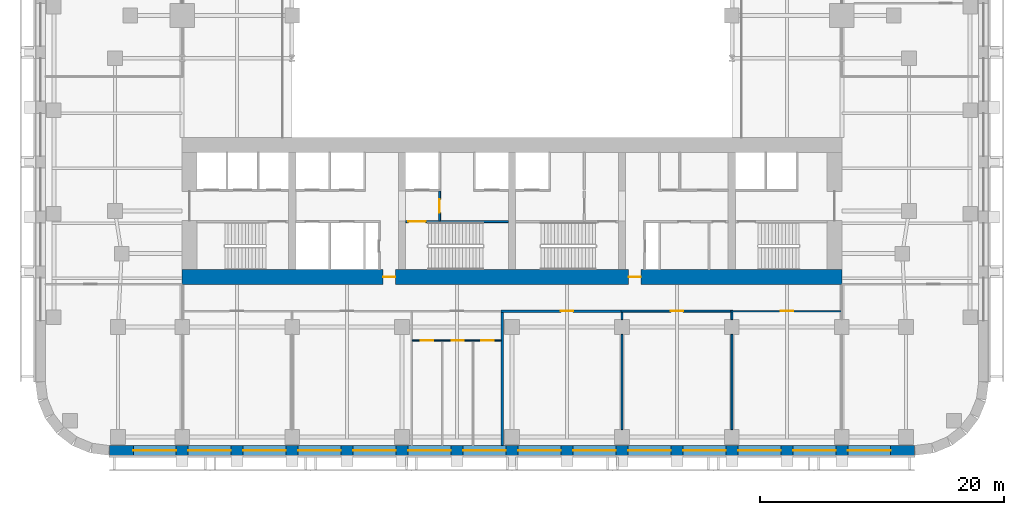
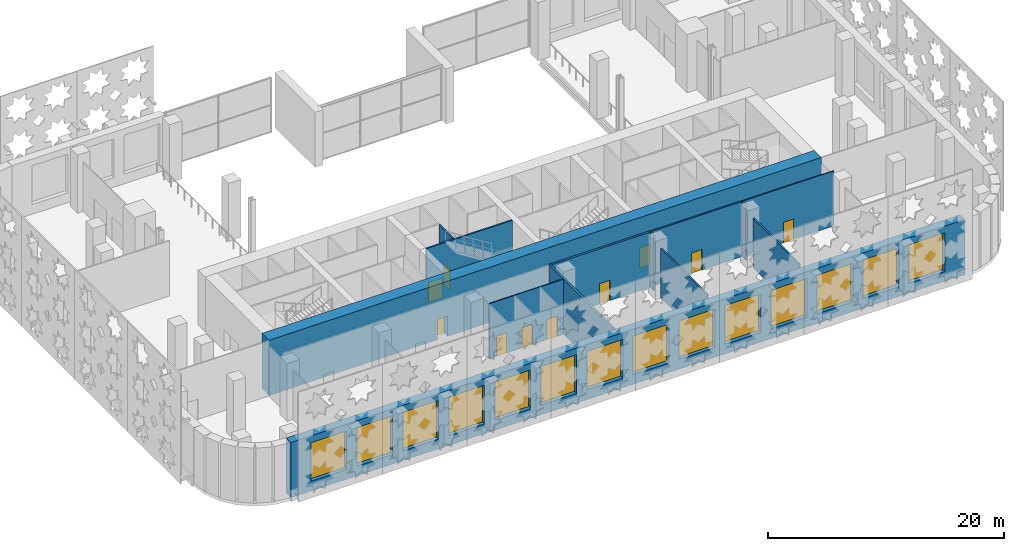
# One storey, part 6 of 17: 14 windows, 13 walls, 10 doors, 24 openings.
"""IFC4 building model written with IfcOpenShell, lengths in metres."""

from ifc_helpers import new_model, si_unit, direction, frame, frame_2d, origin, place, context, subcontext, project, spatial, rectangle, extrude, material, layer, layer_set, type_object, element, fill, save


model = new_model("IFC4")

# Units and contexts
model_context = context("Model", 3, precision=1e-05, world=origin(), true_north=direction((0.0, 1.0)))
body_context = subcontext(model_context, "Body", "Model", "MODEL_VIEW")
ifc_project = project(units=[si_unit("LENGTHUNIT", "METRE"), si_unit("AREAUNIT", "SQUARE_METRE"), si_unit("VOLUMEUNIT", "CUBIC_METRE"), si_unit("PLANEANGLEUNIT", "RADIAN"), si_unit("MASSUNIT", "GRAM", prefix="KILO")], contexts=[model_context])

# Site, building, storey
site_placement = place(None, origin())
site = spatial("IfcSite", under=ifc_project, at=site_placement, CompositionType="ELEMENT")
building_placement = place(site_placement, origin())
building = spatial("IfcBuilding", under=site, at=building_placement, Name="Zellij Exchange Tower", CompositionType="ELEMENT")
storey_placement = place(building_placement, frame((0.0, 0.0, 9.0)))
storey = spatial("IfcBuildingStorey", under=building, at=storey_placement, Name="L01", CompositionType="ELEMENT", Elevation=9.0)

# Wall, opening, door
ifc_material_1 = material(Name="Gypsum shaft wall system")
ifc_layer_1 = layer(ifc_material_1, 0.14990234375)
ifc_layer_set_1 = layer_set([ifc_layer_1], Name="Gypsum shaft wall system")
wall_type_1 = type_object("IfcWallType", Name="CORE-PW 150 Firefighting lobby wall", PredefinedType="PARTITIONING", material=ifc_layer_set_1)
wall_1_placement = place(storey_placement, frame((-5.925048828125, -8.800048828125, 0.0), z_axis=(0.0, 0.0, 1.0), x_axis=(0.0, 1.0, 0.0)))
wall_1 = element("IfcWall", 1, at=wall_1_placement, inside=storey, type_object=wall_type_1, Name="Firefighting lobby wall L01", PredefinedType="PARTITIONING", context=body_context, shape_type="SweptSolid", body=[
    extrude(rectangle(XDim=2.425048828125, YDim=0.14990234375, at=frame_2d((1.21240234375, 0.0))), origin(), (0.0, 0.0, 1.0), 5.699951171875),
])
opening_1_placement = place(wall_1_placement, frame((0.662109375, 0.0, 0.0)))
opening_1 = element("IfcOpeningElement", 2, at=opening_1_placement, cuts=wall_1, Name="Opening CA-04.14", PredefinedType="OPENING", context=body_context, shape_type="SweptSolid", body=[
    extrude(rectangle(XDim=1.10009765625, YDim=2.10009765625, at=frame_2d((0.550048828125, 1.050048828125))), frame((0.0, 0.0869140625, 0.0), z_axis=(0.0, -1.0, 0.0), x_axis=(1.0, 0.0, 0.0)), (0.0, 0.0, 1.0), 0.173828125),
])
ifc_material_2 = material(Name="Hollow metal fire door")
door_type_1 = type_object("IfcDoorType", Name="CORE-D F Firefighting lobby door 1100x2100 1 HR", OperationType="NOTDEFINED", PredefinedType="DOOR", material=ifc_material_2)
door_1_placement = place(opening_1_placement, origin())
door_1 = element("IfcDoor", 3, at=door_1_placement, inside=storey, type_object=door_type_1, Name="Firefighting lobby door CA-04.14", OperationType="SINGLE_SWING_LEFT", OverallHeight=2.10009765625, OverallWidth=1.10009765625, PredefinedType="DOOR", context=body_context, shape_type="SweptSolid", body=[
    extrude(rectangle(XDim=1.10009765625, YDim=2.10009765625, at=frame_2d((0.550048828125, 1.050048828125))), frame((0.0, 0.02490234375, 0.0), z_axis=(0.0, -1.0, 0.0), x_axis=(1.0, 0.0, 0.0)), (0.0, 0.0, 1.0), 0.050048828125),
])
fill(opening_1, door_1)

# Wall, openings, doors
ifc_material_3 = material(Name="Concrete C70/85", Category="concrete")
ifc_layer_2 = layer(ifc_material_3, 1.199951171875)
ifc_layer_set_2 = layer_set([ifc_layer_2], Name="Concrete C70/85")
wall_type_2 = type_object("IfcWallType", Name="CORE-SW 1200 C70/85", PredefinedType="SHEAR", material=ifc_layer_set_2)
wall_2_placement = place(storey_placement, frame((-27.0, -13.39990234375, 0.0), z_axis=(0.0, 0.0, 1.0), x_axis=(1.0, 0.0, 0.0)))
wall_2 = element("IfcWall", 4, at=wall_2_placement, inside=storey, type_object=wall_type_2, Name="Core shear wall rear L01", PredefinedType="SHEAR", context=body_context, shape_type="SweptSolid", body=[
    extrude(rectangle(XDim=54.0, YDim=1.199951171875, at=frame_2d((27.0, 0.0))), origin(), (0.0, 0.0, 1.0), 5.699951171875),
])
opening_2_placement = place(wall_2_placement, frame((16.449951171875, 0.0, 0.0)))
opening_2 = element("IfcOpeningElement", 5, at=opening_2_placement, cuts=wall_2, Name="Opening CA-04.11", PredefinedType="OPENING", context=body_context, shape_type="SweptSolid", body=[
    extrude(rectangle(XDim=1.0, YDim=2.10009765625, at=frame_2d((0.5, 1.050048828125))), frame((0.0, 0.61181640625, 0.0), z_axis=(0.0, -1.0, 0.0), x_axis=(1.0, 0.0, 0.0)), (0.0, 0.0, 1.0), 1.223876953125),
])
opening_3_placement = place(wall_2_placement, frame((36.550048828125, 0.0, 0.0)))
opening_3 = element("IfcOpeningElement", 6, at=opening_3_placement, cuts=wall_2, Name="Opening CA-04.19", PredefinedType="OPENING", context=body_context, shape_type="SweptSolid", body=[
    extrude(rectangle(XDim=1.0, YDim=2.10009765625, at=frame_2d((0.5, 1.050048828125))), frame((0.0, 0.61181640625, 0.0), z_axis=(0.0, -1.0, 0.0), x_axis=(1.0, 0.0, 0.0)), (0.0, 0.0, 1.0), 1.223876953125),
])
door_type_2 = type_object("IfcDoorType", Name="CORE-D CR Core rear door 1000x2100 20 MIN", OperationType="NOTDEFINED", PredefinedType="DOOR", material=ifc_material_2)
door_2_placement = place(opening_2_placement, origin())
door_2 = element("IfcDoor", 7, at=door_2_placement, inside=storey, type_object=door_type_2, Name="Core rear door CA-04.11", OperationType="SINGLE_SWING_RIGHT", OverallHeight=2.10009765625, OverallWidth=1.0, PredefinedType="DOOR", context=body_context, shape_type="SweptSolid", body=[
    extrude(rectangle(XDim=1.0, YDim=2.10009765625, at=frame_2d((0.5, 1.050048828125))), frame((0.0, 0.02490234375, 0.0), z_axis=(0.0, -1.0, 0.0), x_axis=(1.0, 0.0, 0.0)), (0.0, 0.0, 1.0), 0.050048828125),
])
fill(opening_2, door_2)
door_3_placement = place(opening_3_placement, origin())
door_3 = element("IfcDoor", 8, at=door_3_placement, inside=storey, type_object=door_type_2, Name="Core rear door CA-04.19", OperationType="SINGLE_SWING_LEFT", OverallHeight=2.10009765625, OverallWidth=1.0, PredefinedType="DOOR", context=body_context, shape_type="SweptSolid", body=[
    extrude(rectangle(XDim=1.0, YDim=2.10009765625, at=frame_2d((0.5, 1.050048828125))), frame((0.0, 0.02490234375, 0.0), z_axis=(0.0, -1.0, 0.0), x_axis=(1.0, 0.0, 0.0)), (0.0, 0.0, 1.0), 0.050048828125),
])
fill(opening_3, door_3)

# Wall, opening, door
ifc_layer_3 = layer(ifc_material_3, 0.14990234375)
ifc_layer_set_3 = layer_set([ifc_layer_3], Name="Concrete C70/85")
wall_type_3 = type_object("IfcWallType", Name="CORE-SWS 150 C70/85", PredefinedType="SHEAR", material=ifc_layer_set_3)
wall_3_placement = place(storey_placement, frame((-8.699951171875, -8.875, 0.0), z_axis=(0.0, 0.0, 1.0), x_axis=(1.0, 0.0, 0.0)))
wall_3 = element("IfcWall", 9, at=wall_3_placement, inside=storey, type_object=wall_type_3, Name="Stair enclosure wall L01", PredefinedType="SHEAR", context=body_context, shape_type="SweptSolid", body=[
    extrude(rectangle(XDim=8.39990234375, YDim=0.14990234375, at=frame_2d((4.199951171875, 0.0))), origin(), (0.0, 0.0, 1.0), 5.699951171875),
])
opening_4_placement = place(wall_3_placement, frame((0.22509765625, 0.0, 0.0)))
opening_4 = element("IfcOpeningElement", 10, at=opening_4_placement, cuts=wall_3, Name="Opening CA-04.12", PredefinedType="OPENING", context=body_context, shape_type="SweptSolid", body=[
    extrude(rectangle(XDim=1.39990234375, YDim=2.10009765625, at=frame_2d((0.699951171875, 1.050048828125))), frame((0.0, 0.0869140625, 0.0), z_axis=(0.0, -1.0, 0.0), x_axis=(1.0, 0.0, 0.0)), (0.0, 0.0, 1.0), 0.173828125),
])
door_type_3 = type_object("IfcDoorType", Name="CORE-D SD Stair door 1400x2100 1.5 HR", OperationType="NOTDEFINED", PredefinedType="DOOR", material=ifc_material_2)
door_4_placement = place(opening_4_placement, origin())
door_4 = element("IfcDoor", 11, at=door_4_placement, inside=storey, type_object=door_type_3, Name="Stair door CA-04.12", OperationType="DOUBLE_DOOR_SINGLE_SWING", OverallHeight=2.10009765625, OverallWidth=1.39990234375, PredefinedType="DOOR", context=body_context, shape_type="SweptSolid", body=[
    extrude(rectangle(XDim=1.39990234375, YDim=2.10009765625, at=frame_2d((0.699951171875, 1.050048828125))), frame((0.0, 0.02490234375, 0.0), z_axis=(0.0, -1.0, 0.0), x_axis=(1.0, 0.0, 0.0)), (0.0, 0.0, 1.0), 0.050048828125),
])
fill(opening_4, door_4)

# Wall, openings, windows
ifc_material_4 = material(Name="Precast concrete C40/50", Category="concrete")
ifc_layer_4 = layer(ifc_material_4, 0.800048828125)
ifc_layer_set_4 = layer_set([ifc_layer_4], Name="Precast concrete C40/50")
wall_type_4 = type_object("IfcWallType", Name="ENV-EW1 Precast stone-piered wall 800", PredefinedType="SOLIDWALL", material=ifc_layer_set_4)
wall_4_placement = place(storey_placement, frame((-32.947509765625, -27.60009765625, 0.0), z_axis=(0.0, 0.0, 1.0), x_axis=(1.0, 0.0, 0.0)))
wall_4 = element("IfcWall", 12, at=wall_4_placement, inside=storey, type_object=wall_type_4, Name="fac.L01.00", PredefinedType="SOLIDWALL", context=body_context, shape_type="SweptSolid", body=[
    extrude(rectangle(XDim=65.89501953125, YDim=0.800048828125, at=frame_2d((32.947509765625, 0.0))), origin(), (0.0, 0.0, 1.0), 5.699951171875),
])
opening_5_placement = place(wall_4_placement, frame((1.947509765625, 0.0, 1.0)))
opening_5 = element("IfcOpeningElement", 13, at=opening_5_placement, cuts=wall_4, Name="Opening FP.01", PredefinedType="OPENING", context=body_context, shape_type="SweptSolid", body=[
    extrude(rectangle(XDim=3.5, YDim=4.0, at=frame_2d((1.75, 2.0))), frame((0.0, 0.412109375, 0.0), z_axis=(0.0, -1.0, 0.0), x_axis=(1.0, 0.0, 0.0)), (0.0, 0.0, 1.0), 0.823974609375),
])
opening_6_placement = place(wall_4_placement, frame((6.447509765625, 0.0, 1.0)))
opening_6 = element("IfcOpeningElement", 14, at=opening_6_placement, cuts=wall_4, Name="Opening FP.02", PredefinedType="OPENING", context=body_context, shape_type="SweptSolid", body=[
    extrude(rectangle(XDim=3.5, YDim=4.0, at=frame_2d((1.75, 2.0))), frame((0.0, 0.412109375, 0.0), z_axis=(0.0, -1.0, 0.0), x_axis=(1.0, 0.0, 0.0)), (0.0, 0.0, 1.0), 0.823974609375),
])
opening_7_placement = place(wall_4_placement, frame((10.947509765625, 0.0, 1.0)))
opening_7 = element("IfcOpeningElement", 15, at=opening_7_placement, cuts=wall_4, Name="Opening FP.03", PredefinedType="OPENING", context=body_context, shape_type="SweptSolid", body=[
    extrude(rectangle(XDim=3.5, YDim=4.0, at=frame_2d((1.75, 2.0))), frame((0.0, 0.412109375, 0.0), z_axis=(0.0, -1.0, 0.0), x_axis=(1.0, 0.0, 0.0)), (0.0, 0.0, 1.0), 0.823974609375),
])
opening_8_placement = place(wall_4_placement, frame((15.447509765625, 0.0, 1.0)))
opening_8 = element("IfcOpeningElement", 16, at=opening_8_placement, cuts=wall_4, Name="Opening FP.04", PredefinedType="OPENING", context=body_context, shape_type="SweptSolid", body=[
    extrude(rectangle(XDim=3.5, YDim=4.0, at=frame_2d((1.75, 2.0))), frame((0.0, 0.412109375, 0.0), z_axis=(0.0, -1.0, 0.0), x_axis=(1.0, 0.0, 0.0)), (0.0, 0.0, 1.0), 0.823974609375),
])
opening_9_placement = place(wall_4_placement, frame((19.947509765625, 0.0, 1.0)))
opening_9 = element("IfcOpeningElement", 17, at=opening_9_placement, cuts=wall_4, Name="Opening FP.05", PredefinedType="OPENING", context=body_context, shape_type="SweptSolid", body=[
    extrude(rectangle(XDim=3.5, YDim=4.0, at=frame_2d((1.75, 2.0))), frame((0.0, 0.412109375, 0.0), z_axis=(0.0, -1.0, 0.0), x_axis=(1.0, 0.0, 0.0)), (0.0, 0.0, 1.0), 0.823974609375),
])
opening_10_placement = place(wall_4_placement, frame((24.447509765625, 0.0, 1.0)))
opening_10 = element("IfcOpeningElement", 18, at=opening_10_placement, cuts=wall_4, Name="Opening FP.06", PredefinedType="OPENING", context=body_context, shape_type="SweptSolid", body=[
    extrude(rectangle(XDim=3.5, YDim=4.0, at=frame_2d((1.75, 2.0))), frame((0.0, 0.412109375, 0.0), z_axis=(0.0, -1.0, 0.0), x_axis=(1.0, 0.0, 0.0)), (0.0, 0.0, 1.0), 0.823974609375),
])
opening_11_placement = place(wall_4_placement, frame((28.947509765625, 0.0, 1.0)))
opening_11 = element("IfcOpeningElement", 19, at=opening_11_placement, cuts=wall_4, Name="Opening FP.07", PredefinedType="OPENING", context=body_context, shape_type="SweptSolid", body=[
    extrude(rectangle(XDim=3.5, YDim=4.0, at=frame_2d((1.75, 2.0))), frame((0.0, 0.412109375, 0.0), z_axis=(0.0, -1.0, 0.0), x_axis=(1.0, 0.0, 0.0)), (0.0, 0.0, 1.0), 0.823974609375),
])
opening_12_placement = place(wall_4_placement, frame((33.447509765625, 0.0, 1.0)))
opening_12 = element("IfcOpeningElement", 20, at=opening_12_placement, cuts=wall_4, Name="Opening FP.08", PredefinedType="OPENING", context=body_context, shape_type="SweptSolid", body=[
    extrude(rectangle(XDim=3.5, YDim=4.0, at=frame_2d((1.75, 2.0))), frame((0.0, 0.412109375, 0.0), z_axis=(0.0, -1.0, 0.0), x_axis=(1.0, 0.0, 0.0)), (0.0, 0.0, 1.0), 0.823974609375),
])
opening_13_placement = place(wall_4_placement, frame((37.947509765625, 0.0, 1.0)))
opening_13 = element("IfcOpeningElement", 21, at=opening_13_placement, cuts=wall_4, Name="Opening FP.09", PredefinedType="OPENING", context=body_context, shape_type="SweptSolid", body=[
    extrude(rectangle(XDim=3.5, YDim=4.0, at=frame_2d((1.75, 2.0))), frame((0.0, 0.412109375, 0.0), z_axis=(0.0, -1.0, 0.0), x_axis=(1.0, 0.0, 0.0)), (0.0, 0.0, 1.0), 0.823974609375),
])
opening_14_placement = place(wall_4_placement, frame((42.447509765625, 0.0, 1.0)))
opening_14 = element("IfcOpeningElement", 22, at=opening_14_placement, cuts=wall_4, Name="Opening FP.10", PredefinedType="OPENING", context=body_context, shape_type="SweptSolid", body=[
    extrude(rectangle(XDim=3.5, YDim=4.0, at=frame_2d((1.75, 2.0))), frame((0.0, 0.412109375, 0.0), z_axis=(0.0, -1.0, 0.0), x_axis=(1.0, 0.0, 0.0)), (0.0, 0.0, 1.0), 0.823974609375),
])
opening_15_placement = place(wall_4_placement, frame((46.947509765625, 0.0, 1.0)))
opening_15 = element("IfcOpeningElement", 23, at=opening_15_placement, cuts=wall_4, Name="Opening FP.11", PredefinedType="OPENING", context=body_context, shape_type="SweptSolid", body=[
    extrude(rectangle(XDim=3.5, YDim=4.0, at=frame_2d((1.75, 2.0))), frame((0.0, 0.412109375, 0.0), z_axis=(0.0, -1.0, 0.0), x_axis=(1.0, 0.0, 0.0)), (0.0, 0.0, 1.0), 0.823974609375),
])
opening_16_placement = place(wall_4_placement, frame((51.447509765625, 0.0, 1.0)))
opening_16 = element("IfcOpeningElement", 24, at=opening_16_placement, cuts=wall_4, Name="Opening FP.12", PredefinedType="OPENING", context=body_context, shape_type="SweptSolid", body=[
    extrude(rectangle(XDim=3.5, YDim=4.0, at=frame_2d((1.75, 2.0))), frame((0.0, 0.412109375, 0.0), z_axis=(0.0, -1.0, 0.0), x_axis=(1.0, 0.0, 0.0)), (0.0, 0.0, 1.0), 0.823974609375),
])
opening_17_placement = place(wall_4_placement, frame((55.947509765625, 0.0, 1.0)))
opening_17 = element("IfcOpeningElement", 25, at=opening_17_placement, cuts=wall_4, Name="Opening FP.13", PredefinedType="OPENING", context=body_context, shape_type="SweptSolid", body=[
    extrude(rectangle(XDim=3.5, YDim=4.0, at=frame_2d((1.75, 2.0))), frame((0.0, 0.412109375, 0.0), z_axis=(0.0, -1.0, 0.0), x_axis=(1.0, 0.0, 0.0)), (0.0, 0.0, 1.0), 0.823974609375),
])
opening_18_placement = place(wall_4_placement, frame((60.447509765625, 0.0, 1.0)))
opening_18 = element("IfcOpeningElement", 26, at=opening_18_placement, cuts=wall_4, Name="Opening FP.14", PredefinedType="OPENING", context=body_context, shape_type="SweptSolid", body=[
    extrude(rectangle(XDim=3.5, YDim=4.0, at=frame_2d((1.75, 2.0))), frame((0.0, 0.412109375, 0.0), z_axis=(0.0, -1.0, 0.0), x_axis=(1.0, 0.0, 0.0)), (0.0, 0.0, 1.0), 0.823974609375),
])
ifc_material_5 = material(Name="Aluminium frame with insulating glass", Category="aluminium")
window_type = type_object("IfcWindowType", Name="ENV-W2 Window 3500x4000", PartitioningType="SINGLE_PANEL", PredefinedType="WINDOW", material=ifc_material_5)
window_1_placement = place(opening_5_placement, origin())
window_1 = element("IfcWindow", 27, at=window_1_placement, inside=storey, type_object=window_type, Name="Window FP.01", OverallHeight=4.0, OverallWidth=3.5, PartitioningType="SINGLE_PANEL", PredefinedType="WINDOW", context=body_context, shape_type="SweptSolid", body=[
    extrude(rectangle(XDim=3.5, YDim=4.0, at=frame_2d((1.75, 2.0))), frame((0.0, 0.030029296875, 0.0), z_axis=(0.0, -1.0, 0.0), x_axis=(1.0, 0.0, 0.0)), (0.0, 0.0, 1.0), 0.06005859375),
])
fill(opening_5, window_1)
window_2_placement = place(opening_6_placement, origin())
window_2 = element("IfcWindow", 28, at=window_2_placement, inside=storey, type_object=window_type, Name="Window FP.02", OverallHeight=4.0, OverallWidth=3.5, PartitioningType="SINGLE_PANEL", PredefinedType="WINDOW", context=body_context, shape_type="SweptSolid", body=[
    extrude(rectangle(XDim=3.5, YDim=4.0, at=frame_2d((1.75, 2.0))), frame((0.0, 0.030029296875, 0.0), z_axis=(0.0, -1.0, 0.0), x_axis=(1.0, 0.0, 0.0)), (0.0, 0.0, 1.0), 0.06005859375),
])
fill(opening_6, window_2)
window_3_placement = place(opening_7_placement, origin())
window_3 = element("IfcWindow", 29, at=window_3_placement, inside=storey, type_object=window_type, Name="Window FP.03", OverallHeight=4.0, OverallWidth=3.5, PartitioningType="SINGLE_PANEL", PredefinedType="WINDOW", context=body_context, shape_type="SweptSolid", body=[
    extrude(rectangle(XDim=3.5, YDim=4.0, at=frame_2d((1.75, 2.0))), frame((0.0, 0.030029296875, 0.0), z_axis=(0.0, -1.0, 0.0), x_axis=(1.0, 0.0, 0.0)), (0.0, 0.0, 1.0), 0.06005859375),
])
fill(opening_7, window_3)
window_4_placement = place(opening_8_placement, origin())
window_4 = element("IfcWindow", 30, at=window_4_placement, inside=storey, type_object=window_type, Name="Window FP.04", OverallHeight=4.0, OverallWidth=3.5, PartitioningType="SINGLE_PANEL", PredefinedType="WINDOW", context=body_context, shape_type="SweptSolid", body=[
    extrude(rectangle(XDim=3.5, YDim=4.0, at=frame_2d((1.75, 2.0))), frame((0.0, 0.030029296875, 0.0), z_axis=(0.0, -1.0, 0.0), x_axis=(1.0, 0.0, 0.0)), (0.0, 0.0, 1.0), 0.06005859375),
])
fill(opening_8, window_4)
window_5_placement = place(opening_9_placement, origin())
window_5 = element("IfcWindow", 31, at=window_5_placement, inside=storey, type_object=window_type, Name="Window FP.05", OverallHeight=4.0, OverallWidth=3.5, PartitioningType="SINGLE_PANEL", PredefinedType="WINDOW", context=body_context, shape_type="SweptSolid", body=[
    extrude(rectangle(XDim=3.5, YDim=4.0, at=frame_2d((1.75, 2.0))), frame((0.0, 0.030029296875, 0.0), z_axis=(0.0, -1.0, 0.0), x_axis=(1.0, 0.0, 0.0)), (0.0, 0.0, 1.0), 0.06005859375),
])
fill(opening_9, window_5)
window_6_placement = place(opening_10_placement, origin())
window_6 = element("IfcWindow", 32, at=window_6_placement, inside=storey, type_object=window_type, Name="Window FP.06", OverallHeight=4.0, OverallWidth=3.5, PartitioningType="SINGLE_PANEL", PredefinedType="WINDOW", context=body_context, shape_type="SweptSolid", body=[
    extrude(rectangle(XDim=3.5, YDim=4.0, at=frame_2d((1.75, 2.0))), frame((0.0, 0.030029296875, 0.0), z_axis=(0.0, -1.0, 0.0), x_axis=(1.0, 0.0, 0.0)), (0.0, 0.0, 1.0), 0.06005859375),
])
fill(opening_10, window_6)
window_7_placement = place(opening_11_placement, origin())
window_7 = element("IfcWindow", 33, at=window_7_placement, inside=storey, type_object=window_type, Name="Window FP.07", OverallHeight=4.0, OverallWidth=3.5, PartitioningType="SINGLE_PANEL", PredefinedType="WINDOW", context=body_context, shape_type="SweptSolid", body=[
    extrude(rectangle(XDim=3.5, YDim=4.0, at=frame_2d((1.75, 2.0))), frame((0.0, 0.030029296875, 0.0), z_axis=(0.0, -1.0, 0.0), x_axis=(1.0, 0.0, 0.0)), (0.0, 0.0, 1.0), 0.06005859375),
])
fill(opening_11, window_7)
window_8_placement = place(opening_12_placement, origin())
window_8 = element("IfcWindow", 34, at=window_8_placement, inside=storey, type_object=window_type, Name="Window FP.08", OverallHeight=4.0, OverallWidth=3.5, PartitioningType="SINGLE_PANEL", PredefinedType="WINDOW", context=body_context, shape_type="SweptSolid", body=[
    extrude(rectangle(XDim=3.5, YDim=4.0, at=frame_2d((1.75, 2.0))), frame((0.0, 0.030029296875, 0.0), z_axis=(0.0, -1.0, 0.0), x_axis=(1.0, 0.0, 0.0)), (0.0, 0.0, 1.0), 0.06005859375),
])
fill(opening_12, window_8)
window_9_placement = place(opening_13_placement, origin())
window_9 = element("IfcWindow", 35, at=window_9_placement, inside=storey, type_object=window_type, Name="Window FP.09", OverallHeight=4.0, OverallWidth=3.5, PartitioningType="SINGLE_PANEL", PredefinedType="WINDOW", context=body_context, shape_type="SweptSolid", body=[
    extrude(rectangle(XDim=3.5, YDim=4.0, at=frame_2d((1.75, 2.0))), frame((0.0, 0.030029296875, 0.0), z_axis=(0.0, -1.0, 0.0), x_axis=(1.0, 0.0, 0.0)), (0.0, 0.0, 1.0), 0.06005859375),
])
fill(opening_13, window_9)
window_10_placement = place(opening_14_placement, origin())
window_10 = element("IfcWindow", 36, at=window_10_placement, inside=storey, type_object=window_type, Name="Window FP.10", OverallHeight=4.0, OverallWidth=3.5, PartitioningType="SINGLE_PANEL", PredefinedType="WINDOW", context=body_context, shape_type="SweptSolid", body=[
    extrude(rectangle(XDim=3.5, YDim=4.0, at=frame_2d((1.75, 2.0))), frame((0.0, 0.030029296875, 0.0), z_axis=(0.0, -1.0, 0.0), x_axis=(1.0, 0.0, 0.0)), (0.0, 0.0, 1.0), 0.06005859375),
])
fill(opening_14, window_10)
window_11_placement = place(opening_15_placement, origin())
window_11 = element("IfcWindow", 37, at=window_11_placement, inside=storey, type_object=window_type, Name="Window FP.11", OverallHeight=4.0, OverallWidth=3.5, PartitioningType="SINGLE_PANEL", PredefinedType="WINDOW", context=body_context, shape_type="SweptSolid", body=[
    extrude(rectangle(XDim=3.5, YDim=4.0, at=frame_2d((1.75, 2.0))), frame((0.0, 0.030029296875, 0.0), z_axis=(0.0, -1.0, 0.0), x_axis=(1.0, 0.0, 0.0)), (0.0, 0.0, 1.0), 0.06005859375),
])
fill(opening_15, window_11)
window_12_placement = place(opening_16_placement, origin())
window_12 = element("IfcWindow", 38, at=window_12_placement, inside=storey, type_object=window_type, Name="Window FP.12", OverallHeight=4.0, OverallWidth=3.5, PartitioningType="SINGLE_PANEL", PredefinedType="WINDOW", context=body_context, shape_type="SweptSolid", body=[
    extrude(rectangle(XDim=3.5, YDim=4.0, at=frame_2d((1.75, 2.0))), frame((0.0, 0.030029296875, 0.0), z_axis=(0.0, -1.0, 0.0), x_axis=(1.0, 0.0, 0.0)), (0.0, 0.0, 1.0), 0.06005859375),
])
fill(opening_16, window_12)
window_13_placement = place(opening_17_placement, origin())
window_13 = element("IfcWindow", 39, at=window_13_placement, inside=storey, type_object=window_type, Name="Window FP.13", OverallHeight=4.0, OverallWidth=3.5, PartitioningType="SINGLE_PANEL", PredefinedType="WINDOW", context=body_context, shape_type="SweptSolid", body=[
    extrude(rectangle(XDim=3.5, YDim=4.0, at=frame_2d((1.75, 2.0))), frame((0.0, 0.030029296875, 0.0), z_axis=(0.0, -1.0, 0.0), x_axis=(1.0, 0.0, 0.0)), (0.0, 0.0, 1.0), 0.06005859375),
])
fill(opening_17, window_13)
window_14_placement = place(opening_18_placement, origin())
window_14 = element("IfcWindow", 40, at=window_14_placement, inside=storey, type_object=window_type, Name="Window FP.14", OverallHeight=4.0, OverallWidth=3.5, PartitioningType="SINGLE_PANEL", PredefinedType="WINDOW", context=body_context, shape_type="SweptSolid", body=[
    extrude(rectangle(XDim=3.5, YDim=4.0, at=frame_2d((1.75, 2.0))), frame((0.0, 0.030029296875, 0.0), z_axis=(0.0, -1.0, 0.0), x_axis=(1.0, 0.0, 0.0)), (0.0, 0.0, 1.0), 0.06005859375),
])
fill(opening_18, window_14)

# Wall
ifc_material_6 = material(Name="Blockwork partition", Category="masonry")
ifc_layer_5 = layer(ifc_material_6, 0.199951171875)
ifc_layer_set_5 = layer_set([ifc_layer_5], Name="Blockwork partition")
wall_type_5 = type_object("IfcWallType", Name="FIT-BLOCKWORK-200", PredefinedType="PARTITIONING", material=ifc_layer_set_5)
wall_5_placement = place(storey_placement, frame((-0.800048828125, -27.199951171875, 0.0), z_axis=(0.0, 0.0, 1.0), x_axis=(0.0, 1.0, 0.0)))
element("IfcWall", 41, at=wall_5_placement, inside=storey, type_object=wall_type_5, Name="FIT-BLOCKWORK-200 008", PredefinedType="PARTITIONING", context=body_context, shape_type="SweptSolid", body=[
    extrude(rectangle(XDim=10.89990234375, YDim=0.199951171875, at=frame_2d((5.449951171875, 0.0))), origin(), (0.0, 0.0, 1.0), 5.699951171875),
])

# Wall, opening, door
wall_6_placement = place(storey_placement, frame((-0.89990234375, -16.199951171875, 0.0), z_axis=(0.0, 0.0, 1.0), x_axis=(1.0, 0.0, 0.0)))
wall_6 = element("IfcWall", 42, at=wall_6_placement, inside=storey, type_object=wall_type_5, Name="FIT-BLOCKWORK-200 017", PredefinedType="PARTITIONING", context=body_context, shape_type="SweptSolid", body=[
    extrude(rectangle(XDim=9.974853515625, YDim=0.199951171875, at=frame_2d((4.9873046875, 0.0))), origin(), (0.0, 0.0, 1.0), 5.699951171875),
])
opening_19_placement = place(wall_6_placement, frame((4.89990234375, 0.0, 0.0)))
opening_19 = element("IfcOpeningElement", 43, at=opening_19_placement, cuts=wall_6, Name="Opening P1.07", PredefinedType="OPENING", context=body_context, shape_type="SweptSolid", body=[
    extrude(rectangle(XDim=1.0, YDim=2.10009765625, at=frame_2d((0.5, 1.050048828125))), frame((0.0, 0.11181640625, 0.0), z_axis=(0.0, -1.0, 0.0), x_axis=(1.0, 0.0, 0.0)), (0.0, 0.0, 1.0), 0.223876953125),
])
ifc_material_7 = material(Name="Timber door set", Category="wood")
door_type_4 = type_object("IfcDoorType", Name="FIT-D2-WIDE-1000X2100", OperationType="SINGLE_SWING_LEFT", PredefinedType="DOOR", material=ifc_material_7)
door_5_placement = place(opening_19_placement, origin())
door_5 = element("IfcDoor", 44, at=door_5_placement, inside=storey, type_object=door_type_4, Name="Door P1.07", OperationType="SINGLE_SWING_LEFT", OverallHeight=2.10009765625, OverallWidth=1.0, PredefinedType="DOOR", context=body_context, shape_type="SweptSolid", body=[
    extrude(rectangle(XDim=1.0, YDim=2.10009765625, at=frame_2d((0.5, 1.050048828125))), frame((0.0, 0.02490234375, 0.0), z_axis=(0.0, -1.0, 0.0), x_axis=(1.0, 0.0, 0.0)), (0.0, 0.0, 1.0), 0.050048828125),
])
fill(opening_19, door_5)

# Wall, openings, doors
ifc_material_8 = material(Name="Gypsum board partition on steel studs", Category="steel")
ifc_layer_6 = layer(ifc_material_8, 0.10009765625)
ifc_layer_set_6 = layer_set([ifc_layer_6], Name="Gypsum board partition on steel studs")
wall_type_6 = type_object("IfcWallType", Name="FIT-PARTITION-100", PredefinedType="PARTITIONING", material=ifc_layer_set_6)
wall_7_placement = place(storey_placement, frame((-8.14990234375, -18.60009765625, 0.0), z_axis=(0.0, 0.0, 1.0), x_axis=(1.0, 0.0, 0.0)))
wall_7 = element("IfcWall", 45, at=wall_7_placement, inside=storey, type_object=wall_type_6, Name="FIT-PARTITION-100 015", PredefinedType="PARTITIONING", context=body_context, shape_type="SweptSolid", body=[
    extrude(rectangle(XDim=7.25, YDim=0.10009765625, at=frame_2d((3.625, 0.0))), origin(), (0.0, 0.0, 1.0), 5.699951171875),
])
opening_20_placement = place(wall_7_placement, frame((0.699951171875, 0.0, 0.0)))
opening_20 = element("IfcOpeningElement", 46, at=opening_20_placement, cuts=wall_7, Name="Opening P1.01", PredefinedType="OPENING", context=body_context, shape_type="SweptSolid", body=[
    extrude(rectangle(XDim=1.0, YDim=2.10009765625, at=frame_2d((0.5, 1.050048828125))), frame((0.0, 0.06201171875, 0.0), z_axis=(0.0, -1.0, 0.0), x_axis=(1.0, 0.0, 0.0)), (0.0, 0.0, 1.0), 0.1240234375),
])
opening_21_placement = place(wall_7_placement, frame((3.199951171875, 0.0, 0.0)))
opening_21 = element("IfcOpeningElement", 47, at=opening_21_placement, cuts=wall_7, Name="Opening P1.02", PredefinedType="OPENING", context=body_context, shape_type="SweptSolid", body=[
    extrude(rectangle(XDim=1.0, YDim=2.10009765625, at=frame_2d((0.5, 1.050048828125))), frame((0.0, 0.06201171875, 0.0), z_axis=(0.0, -1.0, 0.0), x_axis=(1.0, 0.0, 0.0)), (0.0, 0.0, 1.0), 0.1240234375),
])
opening_22_placement = place(wall_7_placement, frame((5.64990234375, 0.0, 0.0)))
opening_22 = element("IfcOpeningElement", 48, at=opening_22_placement, cuts=wall_7, Name="Opening P1.03", PredefinedType="OPENING", context=body_context, shape_type="SweptSolid", body=[
    extrude(rectangle(XDim=1.0, YDim=2.10009765625, at=frame_2d((0.5, 1.050048828125))), frame((0.0, 0.06201171875, 0.0), z_axis=(0.0, -1.0, 0.0), x_axis=(1.0, 0.0, 0.0)), (0.0, 0.0, 1.0), 0.1240234375),
])
door_6_placement = place(opening_20_placement, origin())
door_6 = element("IfcDoor", 49, at=door_6_placement, inside=storey, type_object=door_type_4, Name="Door P1.01", OperationType="SINGLE_SWING_RIGHT", OverallHeight=2.10009765625, OverallWidth=1.0, PredefinedType="DOOR", context=body_context, shape_type="SweptSolid", body=[
    extrude(rectangle(XDim=1.0, YDim=2.10009765625, at=frame_2d((0.5, 1.050048828125))), frame((0.0, 0.02490234375, 0.0), z_axis=(0.0, -1.0, 0.0), x_axis=(1.0, 0.0, 0.0)), (0.0, 0.0, 1.0), 0.050048828125),
])
fill(opening_20, door_6)
door_7_placement = place(opening_21_placement, origin())
door_7 = element("IfcDoor", 50, at=door_7_placement, inside=storey, type_object=door_type_4, Name="Door P1.02", OperationType="SINGLE_SWING_LEFT", OverallHeight=2.10009765625, OverallWidth=1.0, PredefinedType="DOOR", context=body_context, shape_type="SweptSolid", body=[
    extrude(rectangle(XDim=1.0, YDim=2.10009765625, at=frame_2d((0.5, 1.050048828125))), frame((0.0, 0.02490234375, 0.0), z_axis=(0.0, -1.0, 0.0), x_axis=(1.0, 0.0, 0.0)), (0.0, 0.0, 1.0), 0.050048828125),
])
fill(opening_21, door_7)
door_8_placement = place(opening_22_placement, origin())
door_8 = element("IfcDoor", 51, at=door_8_placement, inside=storey, type_object=door_type_4, Name="Door P1.03", OperationType="SINGLE_SWING_RIGHT", OverallHeight=2.10009765625, OverallWidth=1.0, PredefinedType="DOOR", context=body_context, shape_type="SweptSolid", body=[
    extrude(rectangle(XDim=1.0, YDim=2.10009765625, at=frame_2d((0.5, 1.050048828125))), frame((0.0, 0.02490234375, 0.0), z_axis=(0.0, -1.0, 0.0), x_axis=(1.0, 0.0, 0.0)), (0.0, 0.0, 1.0), 0.050048828125),
])
fill(opening_22, door_8)

# Wall, opening, door
wall_8_placement = place(storey_placement, frame((17.925048828125, -16.199951171875, 0.0), z_axis=(0.0, 0.0, 1.0), x_axis=(1.0, 0.0, 0.0)))
wall_8 = element("IfcWall", 52, at=wall_8_placement, inside=storey, type_object=wall_type_6, Name="FIT-PARTITION-100 019", PredefinedType="PARTITIONING", context=body_context, shape_type="SweptSolid", body=[
    extrude(rectangle(XDim=9.02490234375, YDim=0.10009765625, at=frame_2d((4.512451171875, 0.0))), origin(), (0.0, 0.0, 1.0), 5.699951171875),
])
opening_23_placement = place(wall_8_placement, frame((4.074951171875, 0.0, 0.0)))
opening_23 = element("IfcOpeningElement", 53, at=opening_23_placement, cuts=wall_8, Name="Opening P1.09", PredefinedType="OPENING", context=body_context, shape_type="SweptSolid", body=[
    extrude(rectangle(XDim=1.0, YDim=2.10009765625, at=frame_2d((0.5, 1.050048828125))), frame((0.0, 0.06201171875, 0.0), z_axis=(0.0, -1.0, 0.0), x_axis=(1.0, 0.0, 0.0)), (0.0, 0.0, 1.0), 0.1240234375),
])
door_9_placement = place(opening_23_placement, origin())
door_9 = element("IfcDoor", 54, at=door_9_placement, inside=storey, type_object=door_type_4, Name="Door P1.09", OperationType="SINGLE_SWING_RIGHT", OverallHeight=2.10009765625, OverallWidth=1.0, PredefinedType="DOOR", context=body_context, shape_type="SweptSolid", body=[
    extrude(rectangle(XDim=1.0, YDim=2.10009765625, at=frame_2d((0.5, 1.050048828125))), frame((0.0, 0.02490234375, 0.0), z_axis=(0.0, -1.0, 0.0), x_axis=(1.0, 0.0, 0.0)), (0.0, 0.0, 1.0), 0.050048828125),
])
fill(opening_23, door_9)

# Walls
ifc_material_9 = material(Name="Gypsum board shaft-wall partition", Category="gypsum")
ifc_layer_7 = layer(ifc_material_9, 0.14990234375)
ifc_layer_set_7 = layer_set([ifc_layer_7], Name="Gypsum board shaft-wall partition")
wall_type_7 = type_object("IfcWallType", Name="FIT-PARTITION-150-EI60", PredefinedType="PARTITIONING", material=ifc_layer_set_7)
wall_9_placement = place(storey_placement, frame((9.0, -25.89990234375, 0.0), z_axis=(0.0, 0.0, 1.0), x_axis=(0.0, 1.0, 0.0)))
element("IfcWall", 55, at=wall_9_placement, inside=storey, type_object=wall_type_7, Name="FIT-PARTITION-150-EI60 009", PredefinedType="PARTITIONING", context=body_context, shape_type="SweptSolid", body=[
    extrude(rectangle(XDim=7.7998046875, YDim=0.14990234375, at=frame_2d((3.89990234375, 0.0))), origin(), (0.0, 0.0, 1.0), 5.087890625),
])
wall_10_placement = place(storey_placement, frame((9.0, -16.89990234375, 0.0), z_axis=(0.0, 0.0, 1.0), x_axis=(0.0, 1.0, 0.0)))
element("IfcWall", 56, at=wall_10_placement, inside=storey, type_object=wall_type_7, Name="FIT-PARTITION-150-EI60 010", PredefinedType="PARTITIONING", context=body_context, shape_type="SweptSolid", body=[
    extrude(rectangle(XDim=0.599853515625, YDim=0.14990234375, at=frame_2d((0.2998046875, 0.0))), origin(), (0.0, 0.0, 1.0), 5.699951171875),
])
wall_11_placement = place(storey_placement, frame((18.0, -25.89990234375, 0.0), z_axis=(0.0, 0.0, 1.0), x_axis=(0.0, 1.0, 0.0)))
element("IfcWall", 57, at=wall_11_placement, inside=storey, type_object=wall_type_7, Name="FIT-PARTITION-150-EI60 011", PredefinedType="PARTITIONING", context=body_context, shape_type="SweptSolid", body=[
    extrude(rectangle(XDim=7.7998046875, YDim=0.14990234375, at=frame_2d((3.89990234375, 0.0))), origin(), (0.0, 0.0, 1.0), 5.087890625),
])
wall_12_placement = place(storey_placement, frame((18.0, -16.89990234375, 0.0), z_axis=(0.0, 0.0, 1.0), x_axis=(0.0, 1.0, 0.0)))
element("IfcWall", 58, at=wall_12_placement, inside=storey, type_object=wall_type_7, Name="FIT-PARTITION-150-EI60 012", PredefinedType="PARTITIONING", context=body_context, shape_type="SweptSolid", body=[
    extrude(rectangle(XDim=0.625, YDim=0.14990234375, at=frame_2d((0.3125, 0.0))), origin(), (0.0, 0.0, 1.0), 5.699951171875),
])

# Wall, opening, door
wall_13_placement = place(storey_placement, frame((8.925048828125, -16.199951171875, 0.0), z_axis=(0.0, 0.0, 1.0), x_axis=(1.0, 0.0, 0.0)))
wall_13 = element("IfcWall", 59, at=wall_13_placement, inside=storey, type_object=wall_type_7, Name="FIT-PARTITION-150-EI60 018", PredefinedType="PARTITIONING", context=body_context, shape_type="SweptSolid", body=[
    extrude(rectangle(XDim=9.14990234375, YDim=0.14990234375, at=frame_2d((4.574951171875, 0.0))), origin(), (0.0, 0.0, 1.0), 5.699951171875),
])
opening_24_placement = place(wall_13_placement, frame((4.074951171875, 0.0, 0.0)))
opening_24 = element("IfcOpeningElement", 60, at=opening_24_placement, cuts=wall_13, Name="Opening P1.08", PredefinedType="OPENING", context=body_context, shape_type="SweptSolid", body=[
    extrude(rectangle(XDim=1.0, YDim=2.10009765625, at=frame_2d((0.5, 1.050048828125))), frame((0.0, 0.0869140625, 0.0), z_axis=(0.0, -1.0, 0.0), x_axis=(1.0, 0.0, 0.0)), (0.0, 0.0, 1.0), 0.173828125),
])
door_10_placement = place(opening_24_placement, origin())
door_10 = element("IfcDoor", 61, at=door_10_placement, inside=storey, type_object=door_type_4, Name="Door P1.08", OperationType="SINGLE_SWING_RIGHT", OverallHeight=2.10009765625, OverallWidth=1.0, PredefinedType="DOOR", context=body_context, shape_type="SweptSolid", body=[
    extrude(rectangle(XDim=1.0, YDim=2.10009765625, at=frame_2d((0.5, 1.050048828125))), frame((0.0, 0.02490234375, 0.0), z_axis=(0.0, -1.0, 0.0), x_axis=(1.0, 0.0, 0.0)), (0.0, 0.0, 1.0), 0.050048828125),
])
fill(opening_24, door_10)

save(model, "model.ifc")
